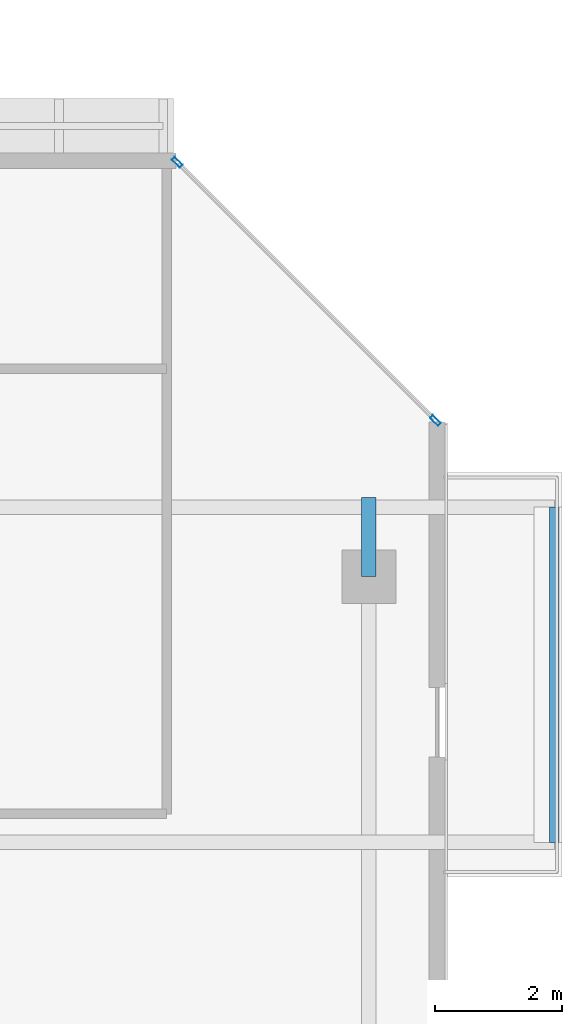
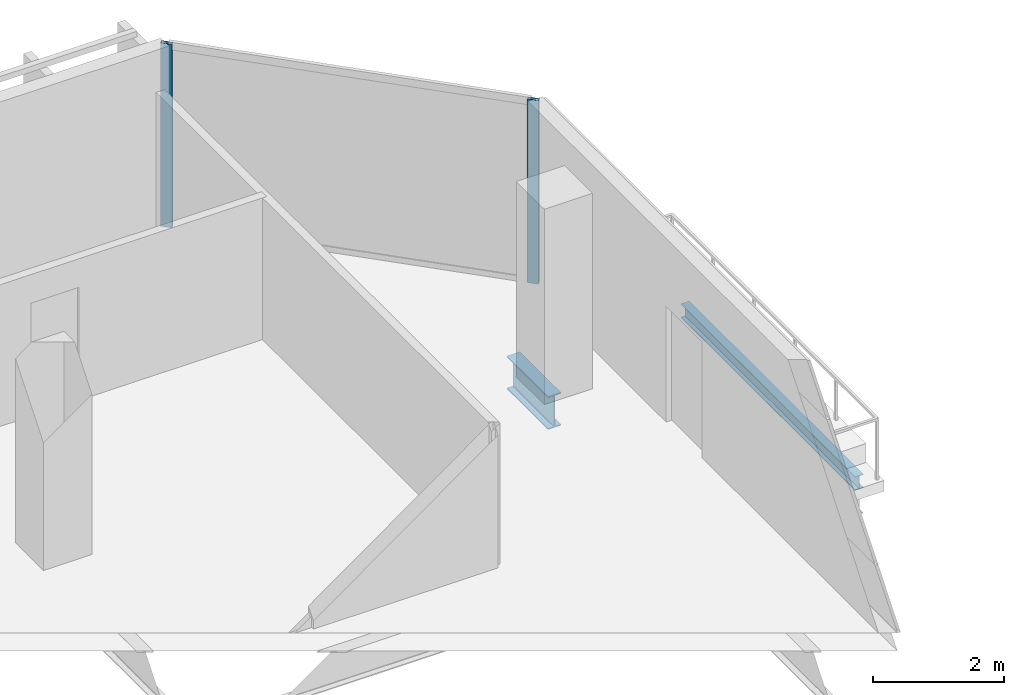
# One storey, part 17 of 30: 2 beams, 2 members, 1 element without a shape of its own.
"""IFC4 building model written with IfcOpenShell, lengths in metres."""

from ifc_helpers import new_model, si_unit, direction, frame, origin, origin_2d, place, context, subcontext, project, spatial, hollow_rectangle, i_section, extrude, material, layer, layer_set, material_profile, profile_set, type_object, element, aggregate, save


model = new_model("IFC4")

# Units and contexts
model_context = context("Model", 3, precision=1e-05, world=origin(), true_north=direction((0.0, 1.0)))
body_context = subcontext(model_context, "Body", "Model", "MODEL_VIEW")
ifc_project = project(units=[si_unit("LENGTHUNIT", "METRE"), si_unit("AREAUNIT", "SQUARE_METRE"), si_unit("VOLUMEUNIT", "CUBIC_METRE"), si_unit("PLANEANGLEUNIT", "RADIAN"), si_unit("MASSUNIT", "GRAM", prefix="KILO")], contexts=[model_context])

# Site, building, storey
site_placement = place(None, origin())
site = spatial("IfcSite", under=ifc_project, at=site_placement, CompositionType="ELEMENT")
building_placement = place(site_placement, origin())
building = spatial("IfcBuilding", under=site, at=building_placement, Name="Tanjung Sevakor Pilgrim Tower", CompositionType="ELEMENT")
storey_placement = place(building_placement, frame((0.0, 0.0, 165.659912109375)))
storey = spatial("IfcBuildingStorey", under=building, at=storey_placement, Name="L46", CompositionType="ELEMENT", Elevation=165.659912109375)

# Beams
ifc_material_1 = material(Name="Steel S355J2", Category="steel")
ifc_material_profile_1 = material_profile(ifc_material_1, i_section(OverallWidth=0.22900390625, OverallDepth=0.6123046875, WebThickness=0.011962890625, FlangeThickness=0.01953125, FilletRadius=0.0126953125, at=origin_2d()))
ifc_profile_set_1 = profile_set([ifc_material_profile_1], Name="Steel S355J2")
beam_type_1 = type_object("IfcBeamType", Name="BM-B-G4-UB_610x229x125", PredefinedType="BEAM", material=ifc_profile_set_1)
beam_1_placement = place(storey_placement, frame((98.800048828125, 48.60009765625, -0.526123046875), z_axis=(0.0, 1.0, 0.0), x_axis=(-1.0, 0.0, 0.0)))
element("IfcBeam", 1, at=beam_1_placement, inside=storey, type_object=beam_type_1, Name="L46 Short-End Edge Extension N-E", PredefinedType="BEAM", context=body_context, shape_type="SweptSolid", body=[
    extrude(i_section(OverallWidth=0.22900390625, OverallDepth=0.6123046875, WebThickness=0.011962890625, FlangeThickness=0.01953125, FilletRadius=0.0126953125, at=origin_2d()), origin(), (0.0, 0.0, 1.0), 1.25),
])
ifc_material_2 = material(Name="Steel S355J2", Category="steel")
ifc_material_profile_2 = material_profile(ifc_material_2, i_section(OverallWidth=0.146484375, OverallDepth=0.256103515625, WebThickness=0.00634765625, FlangeThickness=0.010986328125, FilletRadius=0.007568359375, at=origin_2d()))
ifc_profile_set_2 = profile_set([ifc_material_profile_2], Name="Steel S355J2")
beam_type_2 = type_object("IfcBeamType", Name="BM-B-J6-UB_254x146x37", PredefinedType="JOIST", material=ifc_profile_set_2)
beam_2_placement = place(storey_placement, frame((101.72998046875, 44.39990234375, -0.327880859375), z_axis=(0.0, 1.0, 0.0), x_axis=(-1.0, 0.0, 0.0)))
element("IfcBeam", 2, at=beam_2_placement, inside=storey, type_object=beam_type_2, Name="L46 Balcony Rim Tie MAIN-E2", PredefinedType="JOIST", context=body_context, shape_type="SweptSolid", body=[
    extrude(i_section(OverallWidth=0.146484375, OverallDepth=0.256103515625, WebThickness=0.00634765625, FlangeThickness=0.010986328125, FilletRadius=0.007568359375, at=origin_2d()), origin(), (0.0, 0.0, 1.0), 5.300048828125),
])

# Curtain wall, members
ifc_material_3 = material(Name="Aluminium 6063-T6 and Low-E Glass", Category="aluminium")
ifc_layer = layer(ifc_material_3, 0.179931640625)
ifc_layer_set = layer_set([ifc_layer], Name="CW-SYS-CHAM")
curtain_wall_type = type_object("IfcCurtainWallType", Name="CW-SYS-CHAM", PredefinedType="NOTDEFINED", material=ifc_layer_set)
curtain_wall_placement = place(storey_placement, origin())
curtain_wall = element("IfcCurtainWall", 3, at=curtain_wall_placement, inside=storey, type_object=curtain_wall_type, Name="L46 Curtain Wall CW-CHM-L46-MAIN-7", PredefinedType="NOTDEFINED")
ifc_material_4 = material(Name="Aluminium 6063-T6", Category="aluminium")
ifc_material_profile_3 = material_profile(ifc_material_4, hollow_rectangle(XDim=0.06494140625, YDim=0.179931640625, WallThickness=0.00390625, at=origin_2d()))
ifc_profile_set_3 = profile_set([ifc_material_profile_3], Name="Aluminium 6063-T6")
member_type = type_object("IfcMemberType", Name="TYPE-CWM-1", PredefinedType="MULLION", material=ifc_profile_set_3)
member_1_placement = place(storey_placement, frame((99.85205078125, 51.0712890625, 0.0), z_axis=(0.0, 0.0, 1.0), x_axis=(-0.707106781187, -0.707106781187, 0.0)))
member_1 = element("IfcMember", 4, at=member_1_placement, type_object=member_type, Name="CW-CHM mullion 1", PredefinedType="MULLION", context=body_context, shape_type="SweptSolid", body=[
    extrude(hollow_rectangle(XDim=0.06494140625, YDim=0.179931640625, WallThickness=0.00390625, at=origin_2d()), origin(), (0.0, 0.0, 1.0), 3.41015625),
])
member_2_placement = place(storey_placement, frame((95.771240234375, 55.152099609375, 0.0), z_axis=(0.0, 0.0, 1.0), x_axis=(-0.707106781187, -0.707106781187, 0.0)))
member_2 = element("IfcMember", 5, at=member_2_placement, type_object=member_type, Name="CW-CHM mullion 2", PredefinedType="MULLION", context=body_context, shape_type="SweptSolid", body=[
    extrude(hollow_rectangle(XDim=0.06494140625, YDim=0.179931640625, WallThickness=0.00390625, at=origin_2d()), origin(), (0.0, 0.0, 1.0), 3.41015625),
])
aggregate(curtain_wall, [member_1, member_2])

save(model, "model.ifc")
